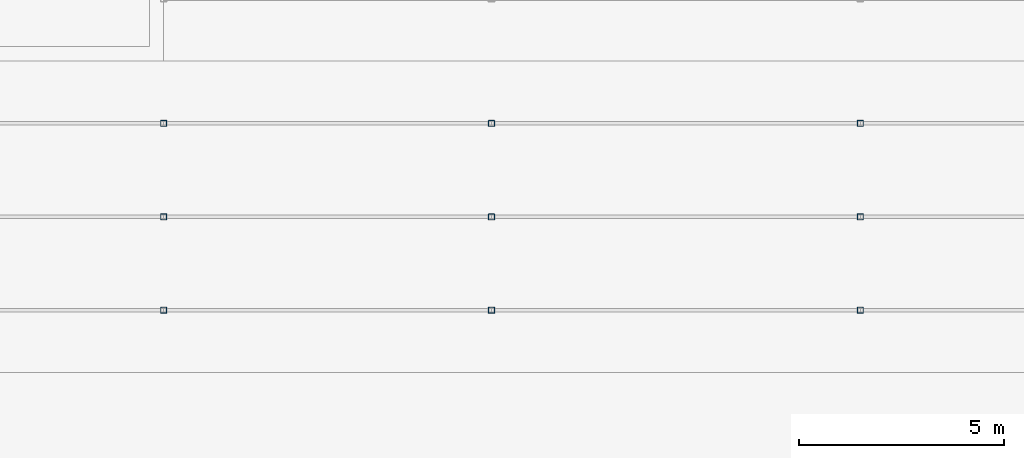
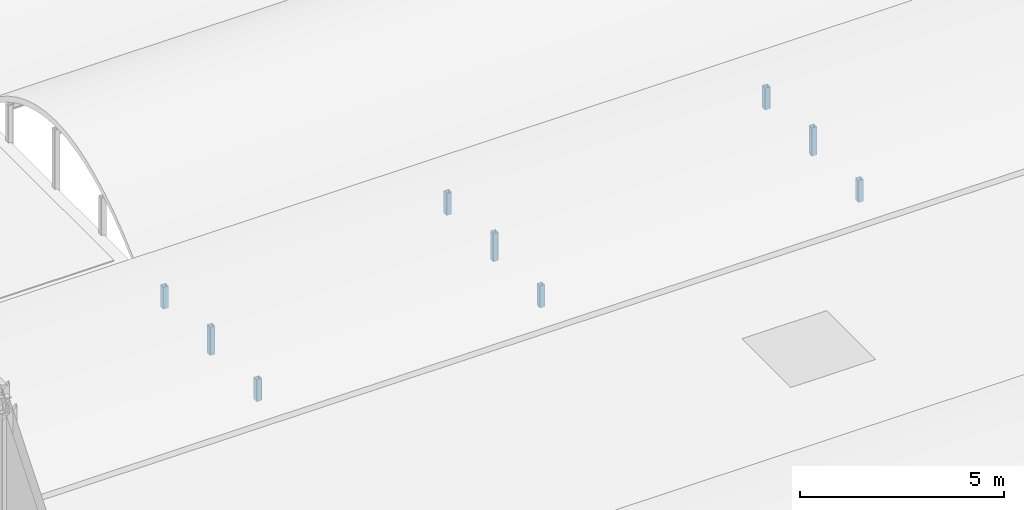
# One storey, part 30 of 46: 9 members.
"""IFC4 building model written with IfcOpenShell, lengths in metres."""

from ifc_helpers import new_model, si_unit, direction, frame, origin, origin_2d, place, context, subcontext, project, spatial, hollow_rectangle, extrude, material, material_profile, profile_set, type_object, element, save


model = new_model("IFC4")

# Units and contexts
model_context = context("Model", 3, precision=1e-05, world=origin(), true_north=direction((0.0, 1.0)))
body_context = subcontext(model_context, "Body", "Model", "MODEL_VIEW")
ifc_project = project(units=[si_unit("LENGTHUNIT", "METRE"), si_unit("AREAUNIT", "SQUARE_METRE"), si_unit("VOLUMEUNIT", "CUBIC_METRE"), si_unit("PLANEANGLEUNIT", "RADIAN"), si_unit("MASSUNIT", "GRAM", prefix="KILO")], contexts=[model_context])

# Site, building, storey
site_placement = place(None, origin())
site = spatial("IfcSite", under=ifc_project, at=site_placement, CompositionType="ELEMENT")
building_placement = place(site_placement, origin())
building = spatial("IfcBuilding", under=site, at=building_placement, Name="Shalkamar Park Central Library", CompositionType="ELEMENT")
storey_placement = place(building_placement, frame((0.0, 0.0, 20.39990234375)))
storey = spatial("IfcBuildingStorey", under=building, at=storey_placement, Name="L05", CompositionType="ELEMENT", Elevation=20.39990234375)

# Members
ifc_material = material(Name="Steel S355", Category="steel")
ifc_material_profile = material_profile(ifc_material, hollow_rectangle(XDim=0.14990234375, YDim=0.14990234375, WallThickness=0.008056640625, InnerFilletRadius=0.008056640625, OuterFilletRadius=0.011962890625, at=origin_2d()), Name="SHS 150x150x8")
ifc_profile_set = profile_set([ifc_material_profile], Name="Steel S355")
member_type = type_object("IfcMemberType", Name="Diagonal Brace SHS150", PredefinedType="BRACE", material=ifc_profile_set)
member_1_placement = place(storey_placement, frame((229.0, 264.320068359375, -0.35986328125), z_axis=(0.0, 0.0, 1.0), x_axis=(1.0, 0.0, 0.0)))
element("IfcMember", 1, at=member_1_placement, inside=storey, type_object=member_type, Name="Vault Arch Post BV-L04-S2-15.1", PredefinedType="BRACE", context=body_context, shape_type="SweptSolid", body=[
    extrude(hollow_rectangle(XDim=0.14990234375, YDim=0.14990234375, WallThickness=0.008056640625, InnerFilletRadius=0.008056640625, OuterFilletRadius=0.011962890625, at=origin_2d()), origin(), (0.0, 0.0, 1.0), 0.65283203125),
])
member_2_placement = place(storey_placement, frame((229.0, 266.60009765625, -0.35986328125), z_axis=(0.0, 0.0, 1.0), x_axis=(1.0, 0.0, 0.0)))
element("IfcMember", 2, at=member_2_placement, inside=storey, type_object=member_type, Name="Vault Arch Post BV-L04-S2-15.2", PredefinedType="BRACE", context=body_context, shape_type="SweptSolid", body=[
    extrude(hollow_rectangle(XDim=0.14990234375, YDim=0.14990234375, WallThickness=0.008056640625, InnerFilletRadius=0.008056640625, OuterFilletRadius=0.011962890625, at=origin_2d()), origin(), (0.0, 0.0, 1.0), 0.83984375),
])
for number, where, z_axis, x_axis, name in (
    (3, (229.0, 268.8798828125, -0.35986328125), (0.0, 0.0, 1.0), (1.0, 0.0, 0.0), "Vault Arch Post BV-L04-S2-15.3"),
    (4, (237.0, 264.320068359375, -0.35986328125), (0.0, 0.0, 1.0), (1.0, 0.0, 0.0), "Vault Arch Post BV-L04-S2-16.1"),
):
    element("IfcMember", number, at=place(storey_placement, frame(where, z_axis=z_axis, x_axis=x_axis)), inside=storey, type_object=member_type, Name=name, PredefinedType="BRACE", context=body_context, shape_type="SweptSolid", body=[
        extrude(hollow_rectangle(XDim=0.14990234375, YDim=0.14990234375, WallThickness=0.008056640625, InnerFilletRadius=0.008056640625, OuterFilletRadius=0.011962890625, at=origin_2d()), origin(), (0.0, 0.0, 1.0), 0.65283203125),
    ])
member_3_placement = place(storey_placement, frame((237.0, 266.60009765625, -0.35986328125), z_axis=(0.0, 0.0, 1.0), x_axis=(1.0, 0.0, 0.0)))
element("IfcMember", 5, at=member_3_placement, inside=storey, type_object=member_type, Name="Vault Arch Post BV-L04-S2-16.2", PredefinedType="BRACE", context=body_context, shape_type="SweptSolid", body=[
    extrude(hollow_rectangle(XDim=0.14990234375, YDim=0.14990234375, WallThickness=0.008056640625, InnerFilletRadius=0.008056640625, OuterFilletRadius=0.011962890625, at=origin_2d()), origin(), (0.0, 0.0, 1.0), 0.83984375),
])
for number, where, z_axis, x_axis, name in (
    (6, (237.0, 268.8798828125, -0.35986328125), (0.0, 0.0, 1.0), (1.0, 0.0, 0.0), "Vault Arch Post BV-L04-S2-16.3"),
    (7, (246.0, 264.320068359375, -0.35986328125), (0.0, 0.0, 1.0), (1.0, 0.0, 0.0), "Vault Arch Post BV-L04-S2-17.1"),
):
    element("IfcMember", number, at=place(storey_placement, frame(where, z_axis=z_axis, x_axis=x_axis)), inside=storey, type_object=member_type, Name=name, PredefinedType="BRACE", context=body_context, shape_type="SweptSolid", body=[
        extrude(hollow_rectangle(XDim=0.14990234375, YDim=0.14990234375, WallThickness=0.008056640625, InnerFilletRadius=0.008056640625, OuterFilletRadius=0.011962890625, at=origin_2d()), origin(), (0.0, 0.0, 1.0), 0.65283203125),
    ])
member_4_placement = place(storey_placement, frame((246.0, 266.60009765625, -0.35986328125), z_axis=(0.0, 0.0, 1.0), x_axis=(1.0, 0.0, 0.0)))
element("IfcMember", 8, at=member_4_placement, inside=storey, type_object=member_type, Name="Vault Arch Post BV-L04-S2-17.2", PredefinedType="BRACE", context=body_context, shape_type="SweptSolid", body=[
    extrude(hollow_rectangle(XDim=0.14990234375, YDim=0.14990234375, WallThickness=0.008056640625, InnerFilletRadius=0.008056640625, OuterFilletRadius=0.011962890625, at=origin_2d()), origin(), (0.0, 0.0, 1.0), 0.83984375),
])
member_5_placement = place(storey_placement, frame((246.0, 268.8798828125, -0.35986328125), z_axis=(0.0, 0.0, 1.0), x_axis=(1.0, 0.0, 0.0)))
element("IfcMember", 9, at=member_5_placement, inside=storey, type_object=member_type, Name="Vault Arch Post BV-L04-S2-17.3", PredefinedType="BRACE", context=body_context, shape_type="SweptSolid", body=[
    extrude(hollow_rectangle(XDim=0.14990234375, YDim=0.14990234375, WallThickness=0.008056640625, InnerFilletRadius=0.008056640625, OuterFilletRadius=0.011962890625, at=origin_2d()), origin(), (0.0, 0.0, 1.0), 0.65283203125),
])

save(model, "model.ifc")
